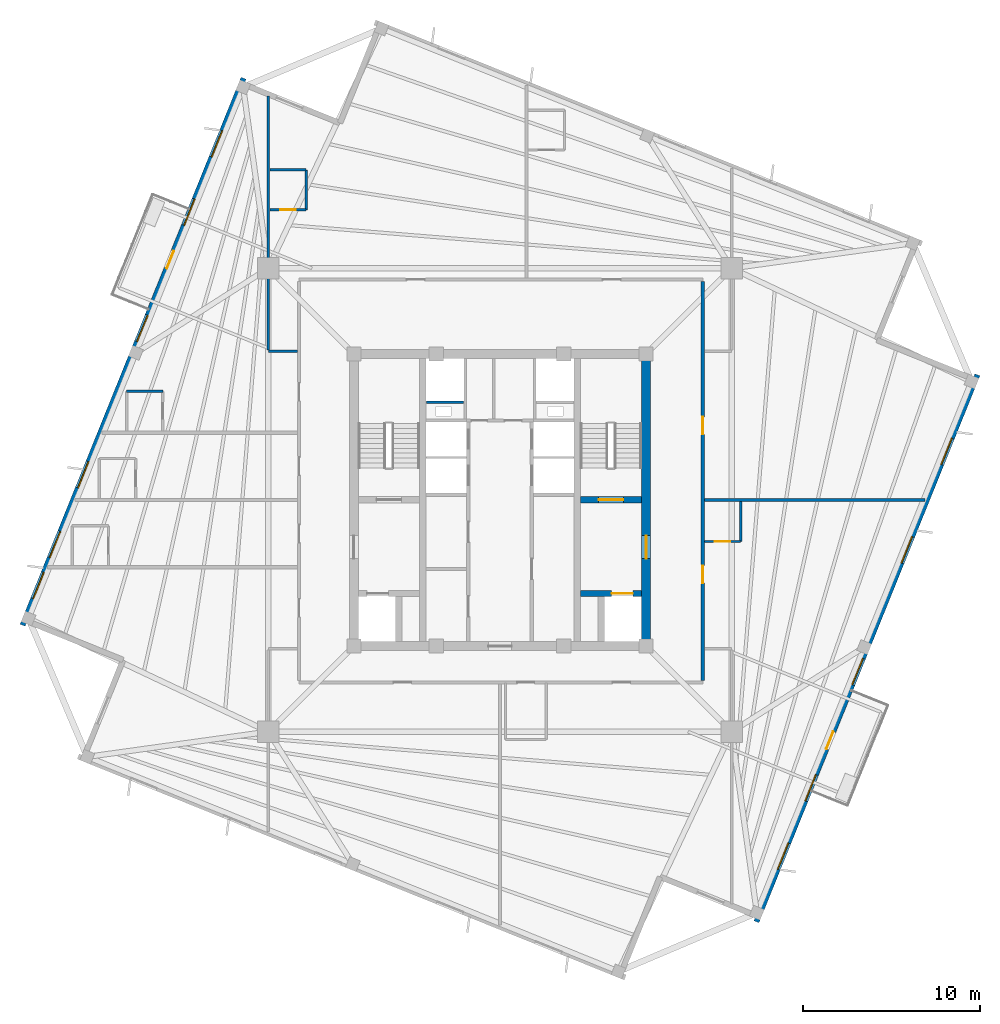
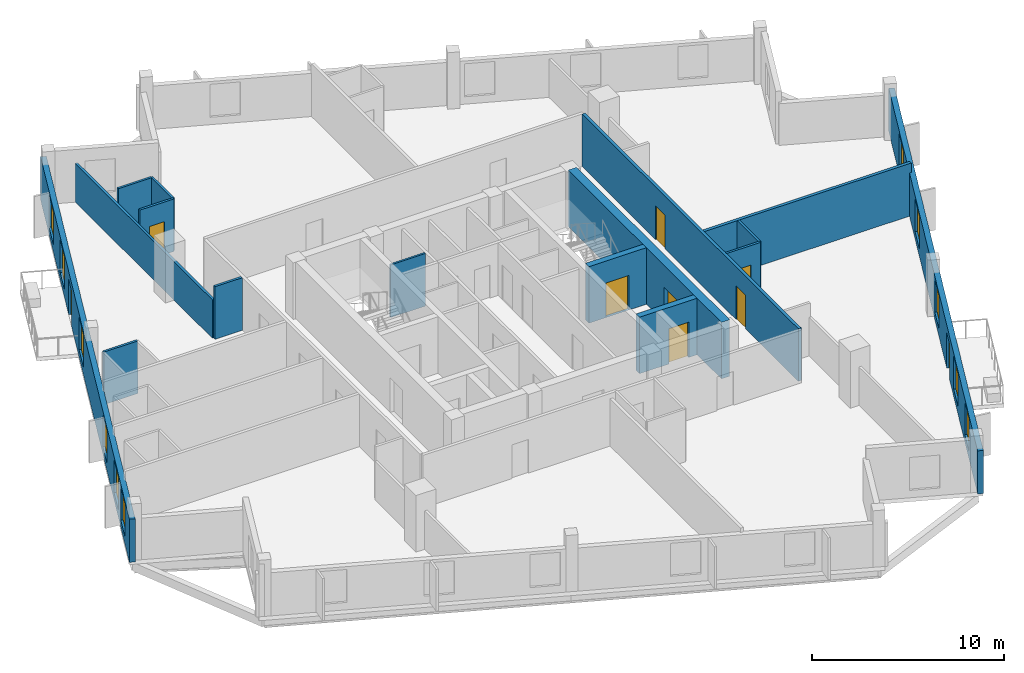
# One storey, part 4 of 8: 16 walls, 11 windows, 9 doors, 20 openings.
"""IFC4 building model written with IfcOpenShell, lengths in metres."""

from ifc_helpers import new_model, si_unit, direction, frame, frame_2d, origin, place, context, subcontext, project, spatial, rectangle, extrude, source, transform, mapped, material, layer, layer_set, type_object, element, fill, save


model = new_model("IFC4")

# Units and contexts
model_context = context("Model", 3, precision=1e-05, world=origin(), true_north=direction((0.0, 1.0)))
body_context = subcontext(model_context, "Body", "Model", "MODEL_VIEW")
ifc_project = project(units=[si_unit("LENGTHUNIT", "METRE"), si_unit("AREAUNIT", "SQUARE_METRE"), si_unit("VOLUMEUNIT", "CUBIC_METRE"), si_unit("PLANEANGLEUNIT", "RADIAN"), si_unit("MASSUNIT", "GRAM", prefix="KILO"), si_unit("THERMODYNAMICTEMPERATUREUNIT", "KELVIN")], contexts=[model_context])

# Site, building, storey
site_placement = place(None, origin())
site = spatial("IfcSite", under=ifc_project, at=site_placement, CompositionType="ELEMENT")
building_placement = place(site_placement, origin())
building = spatial("IfcBuilding", under=site, at=building_placement, Name="Kosmvard Interchange Tower", CompositionType="ELEMENT")
storey_placement = place(building_placement, frame((0.0, 0.0, 294.0)))
storey = spatial("IfcBuildingStorey", under=building, at=storey_placement, Name="L72", CompositionType="ELEMENT", Elevation=294.0)

# Walls
ifc_material_1 = material(Name="Acoustic gypsum partition system")
ifc_layer_1 = layer(ifc_material_1, 0.14990234375, Name="Acoustic gypsum partition system")
ifc_layer_set_1 = layer_set([ifc_layer_1], Name="Acoustic gypsum partition system")
wall_type_1 = type_object("IfcWallType", Name="Acoustic Suite & Meeting Partition 150", PredefinedType="PARTITIONING", material=ifc_layer_set_1)
wall_1_placement = place(storey_placement, frame((-11.445068359375, 8.39990234375, 0.0), z_axis=(0.0, 0.0, 1.0), x_axis=(-1.0, 0.0, 0.0)))
element("IfcWall", 1, at=wall_1_placement, inside=storey, type_object=wall_type_1, Name="L72 Room Partition 07.1", PredefinedType="PARTITIONING", context=body_context, shape_type="SweptSolid", body=[
    extrude(rectangle(XDim=1.635986328125, YDim=0.14990234375, at=frame_2d((0.81787109375, 0.0))), origin(), (0.0, 0.0, 1.0), 3.35009765625),
])
wall_2_placement = place(storey_placement, frame((-13.0810546875, 8.47509765625, 0.0), z_axis=(0.0, 0.0, 1.0), x_axis=(0.0, 1.0, 0.0)))
element("IfcWall", 2, at=wall_2_placement, inside=storey, type_object=wall_type_1, Name="L72 Room Partition 08.1", PredefinedType="PARTITIONING", context=body_context, shape_type="SweptSolid", body=[
    extrude(rectangle(XDim=14.341552734375, YDim=0.14990234375, at=frame_2d((7.1708984375, 0.0))), origin(), (0.0, 0.0, 1.0), 2.449951171875),
])

# Wall, openings, doors
ifc_material_2 = material(Name="Fire-rated gypsum partition system")
ifc_layer_2 = layer(ifc_material_2, 0.179931640625, Name="Fire-rated gypsum partition system")
ifc_layer_set_2 = layer_set([ifc_layer_2], Name="Fire-rated gypsum partition system")
wall_type_2 = type_object("IfcWallType", Name="Corridor & Hotel Compartment Partition 180", PredefinedType="PARTITIONING", material=ifc_layer_set_2)
wall_3_placement = place(storey_placement, frame((11.449951171875, -10.199951171875, 0.0), z_axis=(0.0, 0.0, 1.0), x_axis=(0.0, 1.0, 0.0)))
wall_3 = element("IfcWall", 3, at=wall_3_placement, inside=storey, type_object=wall_type_2, Name="L72 Corridor Wall CE", PredefinedType="PARTITIONING", context=body_context, shape_type="SweptSolid", body=[
    extrude(rectangle(XDim=22.550048828125, YDim=0.179931640625, at=frame_2d((11.27490234375, 0.0))), origin(), (0.0, 0.0, 1.0), 3.35009765625),
])
opening_1_placement = place(wall_3_placement, frame((13.89990234375, 0.0, 0.0)))
opening_1 = element("IfcOpeningElement", 4, at=opening_1_placement, cuts=wall_3, Name="Opening L72-D10", PredefinedType="OPENING", context=body_context, shape_type="SweptSolid", body=[
    extrude(rectangle(XDim=1.0, YDim=2.14990234375, at=frame_2d((0.5, 1.074951171875))), frame((0.0, 0.10009765625, 0.0), z_axis=(0.0, -1.0, 0.0), x_axis=(1.0, 0.0, 0.0)), (0.0, 0.0, 1.0), 0.199951171875),
])
opening_2_placement = place(wall_3_placement, frame((5.5, 0.0, 0.0)))
opening_2 = element("IfcOpeningElement", 5, at=opening_2_placement, cuts=wall_3, Name="Opening L72-D11", PredefinedType="OPENING", context=body_context, shape_type="SweptSolid", body=[
    extrude(rectangle(XDim=1.0, YDim=2.14990234375, at=frame_2d((0.5, 1.074951171875))), frame((0.0, 0.10009765625, 0.0), z_axis=(0.0, -1.0, 0.0), x_axis=(1.0, 0.0, 0.0)), (0.0, 0.0, 1.0), 0.199951171875),
])
ifc_material_3 = material(Name="Engineered oak fire-rated timber", Category="wood")
door_type_1 = type_object("IfcDoorType", Name="Hotel Guestroom Entrance Door 1000x2150 EI60", OperationType="NOTDEFINED", PredefinedType="DOOR", material=ifc_material_3)
shared_shape_1 = source(origin(), body_context, "Body", "SweptSolid", [
    extrude(rectangle(XDim=1.0, YDim=2.14990234375, at=frame_2d((0.5, 1.074951171875))), frame((0.0, 0.02490234375, 0.0), z_axis=(0.0, -1.0, 0.0), x_axis=(1.0, 0.0, 0.0)), (0.0, 0.0, 1.0), 0.050048828125),
])
door_1_placement = place(opening_1_placement, frame((1.0, 0.0, 0.0), z_axis=(0.0, 0.0, 1.0), x_axis=(-1.0, 0.0, 0.0)))
door_1 = element("IfcDoor", 6, at=door_1_placement, inside=storey, type_object=door_type_1, Name="L72 Hotel Summit Boardroom 1 Door", OperationType="SINGLE_SWING_RIGHT", OverallHeight=2.14990234375, OverallWidth=1.0, PredefinedType="DOOR", context=body_context, shape_type="MappedRepresentation", body=[
    mapped(shared_shape_1, transform((0.0, 0.0, 0.0), scale=1.0)),
])
fill(opening_1, door_1)
door_2_placement = place(opening_2_placement, frame((1.0, 0.0, 0.0), z_axis=(0.0, 0.0, 1.0), x_axis=(-1.0, 0.0, 0.0)))
door_2 = element("IfcDoor", 7, at=door_2_placement, inside=storey, type_object=door_type_1, Name="L72 Hotel South-West Corner Suite 5 Door", OperationType="SINGLE_SWING_LEFT", OverallHeight=2.14990234375, OverallWidth=1.0, PredefinedType="DOOR", context=body_context, shape_type="MappedRepresentation", body=[
    mapped(shared_shape_1, transform((0.0, 0.0, 0.0), scale=1.0)),
])
fill(opening_2, door_2)

# Walls
wall_4_placement = place(storey_placement, frame((11.544921875, 0.0, 0.0), z_axis=(0.0, 0.0, 1.0), x_axis=(1.0, 0.0, 0.0)))
element("IfcWall", 8, at=wall_4_placement, inside=storey, type_object=wall_type_2, Name="L72 Room Partition 02.1", PredefinedType="PARTITIONING", context=body_context, shape_type="SweptSolid", body=[
    extrude(rectangle(XDim=12.457763671875, YDim=0.179931640625, at=frame_2d((6.22900390625, 0.0))), origin(), (0.0, 0.0, 1.0), 3.35009765625),
])
ifc_material_4 = material(Name="Fire-rated gypsum shaftwall system")
ifc_layer_3 = layer(ifc_material_4, 0.1201171875, Name="Fire-rated gypsum shaftwall system")
ifc_layer_set_3 = layer_set([ifc_layer_3], Name="Fire-rated gypsum shaftwall system")
wall_type_3 = type_object("IfcWallType", Name="Shaft & Riser Fire Partition 120 EI60", PredefinedType="PARTITIONING", material=ifc_layer_set_3)
wall_5_placement = place(storey_placement, frame((-4.159912109375, 5.52001953125, 0.0), z_axis=(0.0, 0.0, 1.0), x_axis=(1.0, 0.0, 0.0)))
element("IfcWall", 9, at=wall_5_placement, inside=storey, type_object=wall_type_3, Name="L72 Riser Shaft Divider W", PredefinedType="PARTITIONING", context=body_context, shape_type="SweptSolid", body=[
    extrude(rectangle(XDim=2.099853515625, YDim=0.1201171875, at=frame_2d((1.0498046875, 0.0))), origin(), (0.0, 0.0, 1.0), 3.35009765625),
])

# Wall, opening, door
ifc_material_5 = material(Name="Concrete C60/75", Category="concrete")
ifc_layer_4 = layer(ifc_material_5, 0.360107421875, Name="Concrete C60/75")
ifc_layer_set_4 = layer_set([ifc_layer_4], Name="Concrete C60/75")
wall_type_4 = type_object("IfcWallType", Name="Stair & Lift Shaft Shear Wall 360 C60/75", PredefinedType="SHEAR", material=ifc_layer_set_4)
wall_6_placement = place(storey_placement, frame((4.5400390625, 0.02001953125, 0.0), z_axis=(0.0, 0.0, 1.0), x_axis=(1.0, 0.0, 0.0)))
wall_6 = element("IfcWall", 10, at=wall_6_placement, inside=storey, type_object=wall_type_4, Name="L72 Shaft Shear Wall SW-ST2", PredefinedType="SHEAR", context=body_context, shape_type="SweptSolid", body=[
    extrude(rectangle(XDim=3.4599609375, YDim=0.360107421875, at=frame_2d((1.72998046875, 0.0))), origin(), (0.0, 0.0, 1.0), 3.60009765625),
])
opening_3_placement = place(wall_6_placement, frame((1.030029296875, 0.0, 0.0)))
opening_3 = element("IfcOpeningElement", 11, at=opening_3_placement, cuts=wall_6, Name="Opening L72-SD2", PredefinedType="OPENING", context=body_context, shape_type="SweptSolid", body=[
    extrude(rectangle(XDim=1.39990234375, YDim=2.199951171875, at=frame_2d((0.699951171875, 1.10009765625))), frame((0.0, 0.18994140625, 0.0), z_axis=(0.0, -1.0, 0.0), x_axis=(1.0, 0.0, 0.0)), (0.0, 0.0, 1.0), 0.380126953125),
])
ifc_material_6 = material(Name="Painted fire-rated steel leaf", Category="steel")
door_type_2 = type_object("IfcDoorType", Name="Protected Stair Door 1400x2200 FD60S", OperationType="NOTDEFINED", PredefinedType="DOOR", material=ifc_material_6)
shared_shape_2 = source(origin(), body_context, "Body", "SweptSolid", [
    extrude(rectangle(XDim=1.39990234375, YDim=2.199951171875, at=frame_2d((0.699951171875, 1.10009765625))), frame((0.0, 0.02490234375, 0.0), z_axis=(0.0, -1.0, 0.0), x_axis=(1.0, 0.0, 0.0)), (0.0, 0.0, 1.0), 0.050048828125),
])
door_3_placement = place(opening_3_placement, origin())
door_3 = element("IfcDoor", 12, at=door_3_placement, inside=storey, type_object=door_type_2, Name="L72 Stair ST-2 Enclosure Door", OperationType="SINGLE_SWING_RIGHT", OverallHeight=2.199951171875, OverallWidth=1.39990234375, PredefinedType="DOOR", context=body_context, shape_type="MappedRepresentation", body=[
    mapped(shared_shape_2, transform((0.0, 0.0, 0.0), scale=1.0)),
])
fill(opening_3, door_3)

wall_7_placement = place(storey_placement, frame((4.5400390625, -5.280029296875, 0.0), z_axis=(0.0, 0.0, 1.0), x_axis=(1.0, 0.0, 0.0)))
wall_7 = element("IfcWall", 13, at=wall_7_placement, inside=storey, type_object=wall_type_4, Name="L72 Shaft Shear Wall SW-FF2", PredefinedType="SHEAR", context=body_context, shape_type="SweptSolid", body=[
    extrude(rectangle(XDim=3.4599609375, YDim=0.360107421875, at=frame_2d((1.72998046875, 0.0))), origin(), (0.0, 0.0, 1.0), 3.60009765625),
])
opening_4_placement = place(wall_7_placement, frame((1.760009765625, 0.0, 0.0)))
opening_4 = element("IfcOpeningElement", 14, at=opening_4_placement, cuts=wall_7, Name="Opening LD-FF-2-L72", PredefinedType="OPENING", context=body_context, shape_type="SweptSolid", body=[
    extrude(rectangle(XDim=1.199951171875, YDim=2.25, at=frame_2d((0.60009765625, 1.125))), frame((0.0, 0.18994140625, 0.0), z_axis=(0.0, -1.0, 0.0), x_axis=(1.0, 0.0, 0.0)), (0.0, 0.0, 1.0), 0.380126953125),
])
ifc_material_7 = material(Name="Brushed stainless steel sliding leaf", Category="steel")
door_type_3 = type_object("IfcDoorType", Name="Firefighting Lift Sliding Landing Door 1200x2250 EI120", OperationType="DOUBLE_DOOR_SLIDING", PredefinedType="DOOR", material=ifc_material_7)
shared_shape_3 = source(origin(), body_context, "Body", "SweptSolid", [
    extrude(rectangle(XDim=1.199951171875, YDim=2.25, at=frame_2d((0.60009765625, 1.125))), frame((0.0, 0.02490234375, 0.0), z_axis=(0.0, -1.0, 0.0), x_axis=(1.0, 0.0, 0.0)), (0.0, 0.0, 1.0), 0.050048828125),
])
door_4_placement = place(opening_4_placement, origin())
door_4 = element("IfcDoor", 15, at=door_4_placement, inside=storey, type_object=door_type_3, Name="Lift FF-2 Landing Door L72", OperationType="DOUBLE_DOOR_SLIDING", OverallHeight=2.25, OverallWidth=1.199951171875, PredefinedType="DOOR", context=body_context, shape_type="MappedRepresentation", body=[
    mapped(shared_shape_3, transform((0.0, 0.0, 0.0), scale=1.0)),
])
fill(opening_4, door_4)

ifc_layer_5 = layer(ifc_material_5, 0.5, Name="Concrete C60/75")
ifc_layer_set_5 = layer_set([ifc_layer_5], Name="Concrete C60/75")
wall_type_5 = type_object("IfcWallType", Name="Upper Core Shear Wall 500 C60/75", PredefinedType="SHEAR", material=ifc_layer_set_5)
wall_8_placement = place(storey_placement, frame((8.25, -8.0, 0.0), z_axis=(0.0, 0.0, 1.0), x_axis=(0.0, 1.0, 0.0)))
wall_8 = element("IfcWall", 16, at=wall_8_placement, inside=storey, type_object=wall_type_5, Name="L72 Core Shear Wall CW-E", PredefinedType="SHEAR", context=body_context, shape_type="SweptSolid", body=[
    extrude(rectangle(XDim=16.0, YDim=0.5, at=frame_2d((8.0, 0.0))), origin(), (0.0, 0.0, 1.0), 3.60009765625),
])
opening_5_placement = place(wall_8_placement, frame((4.68994140625, 0.0, 0.0)))
opening_5 = element("IfcOpeningElement", 17, at=opening_5_placement, cuts=wall_8, Name="Opening L72-FD2", PredefinedType="OPENING", context=body_context, shape_type="SweptSolid", body=[
    extrude(rectangle(XDim=1.300048828125, YDim=2.199951171875, at=frame_2d((0.64990234375, 1.10009765625))), frame((0.0, 0.260009765625, 0.0), z_axis=(0.0, -1.0, 0.0), x_axis=(1.0, 0.0, 0.0)), (0.0, 0.0, 1.0), 0.52001953125),
])
door_type_4 = type_object("IfcDoorType", Name="Firefighting Lobby Door 1300x2200 EI60", OperationType="NOTDEFINED", PredefinedType="DOOR", material=ifc_material_6)
shared_shape_4 = source(origin(), body_context, "Body", "SweptSolid", [
    extrude(rectangle(XDim=1.300048828125, YDim=2.199951171875, at=frame_2d((0.64990234375, 1.10009765625))), frame((0.0, 0.02490234375, 0.0), z_axis=(0.0, -1.0, 0.0), x_axis=(1.0, 0.0, 0.0)), (0.0, 0.0, 1.0), 0.050048828125),
])
door_5_placement = place(opening_5_placement, origin())
door_5 = element("IfcDoor", 18, at=door_5_placement, inside=storey, type_object=door_type_4, Name="L72 Firefighting Lobby East Door", OperationType="SINGLE_SWING_RIGHT", OverallHeight=2.199951171875, OverallWidth=1.300048828125, PredefinedType="DOOR", context=body_context, shape_type="MappedRepresentation", body=[
    mapped(shared_shape_4, transform((0.0, 0.0, 0.0), scale=1.0)),
])
fill(opening_5, door_5)

# Wall, openings, door, windows
ifc_material_8 = material(Name="Precast concrete C45/55", Category="concrete")
ifc_layer_6 = layer(ifc_material_8, 0.31005859375, Name="Precast concrete C45/55")
ifc_layer_set_6 = layer_set([ifc_layer_6], Name="Precast concrete C45/55")
wall_type_6 = type_object("IfcWallType", Name="Upper Tower Precast Pier Wall 310 C45/55", PredefinedType="STANDARD", material=ifc_layer_set_6)
wall_9_placement = place(storey_placement, frame((14.478759765625, -23.812744140625, 0.0), z_axis=(0.0, 0.0, 1.0), x_axis=(0.374609557019, 0.927182657188, 0.0)))
wall_9 = element("IfcWall", 19, at=wall_9_placement, inside=storey, type_object=wall_type_6, Name="L72 Precast Facade Wall F-S", PredefinedType="STANDARD", context=body_context, shape_type="SweptSolid", body=[
    extrude(rectangle(XDim=33.31005859375, YDim=0.31005859375, at=frame_2d((16.655029296875, 0.0))), origin(), (0.0, 0.0, 1.0), 2.75),
])
opening_6_placement = place(wall_9_placement, frame((10.530029296875, 0.0, 0.0)))
opening_6 = element("IfcOpeningElement", 20, at=opening_6_placement, cuts=wall_9, Name="Opening L72-BDS", PredefinedType="OPENING", context=body_context, shape_type="SweptSolid", body=[
    extrude(rectangle(XDim=1.050048828125, YDim=2.25, at=frame_2d((0.52490234375, 1.125))), frame((0.0, 0.1650390625, 0.0), z_axis=(0.0, -1.0, 0.0), x_axis=(1.0, 0.0, 0.0)), (0.0, 0.0, 1.0), 0.330078125),
])
opening_7_placement = place(wall_9_placement, frame((3.197265625, 0.0, 0.469970703125)))
opening_7 = element("IfcOpeningElement", 21, at=opening_7_placement, cuts=wall_9, Name="Opening L72-W01", PredefinedType="OPENING", context=body_context, shape_type="SweptSolid", body=[
    extrude(rectangle(XDim=1.60009765625, YDim=2.10009765625, at=frame_2d((0.800048828125, 1.050048828125))), frame((0.0, 0.1650390625, 0.0), z_axis=(0.0, -1.0, 0.0), x_axis=(1.0, 0.0, 0.0)), (0.0, 0.0, 1.0), 0.330078125),
])
opening_8_placement = place(wall_9_placement, frame((7.35986328125, 0.0, 0.469970703125)))
opening_8 = element("IfcOpeningElement", 22, at=opening_8_placement, cuts=wall_9, Name="Opening L72-W02", PredefinedType="OPENING", context=body_context, shape_type="SweptSolid", body=[
    extrude(rectangle(XDim=1.60009765625, YDim=2.10009765625, at=frame_2d((0.800048828125, 1.050048828125))), frame((0.0, 0.1650390625, 0.0), z_axis=(0.0, -1.0, 0.0), x_axis=(1.0, 0.0, 0.0)), (0.0, 0.0, 1.0), 0.330078125),
])
opening_9_placement = place(wall_9_placement, frame((14.438720703125, 0.0, 0.469970703125)))
opening_9 = element("IfcOpeningElement", 23, at=opening_9_placement, cuts=wall_9, Name="Opening L72-W03", PredefinedType="OPENING", context=body_context, shape_type="SweptSolid", body=[
    extrude(rectangle(XDim=1.60009765625, YDim=2.10009765625, at=frame_2d((0.800048828125, 1.050048828125))), frame((0.0, 0.1650390625, 0.0), z_axis=(0.0, -1.0, 0.0), x_axis=(1.0, 0.0, 0.0)), (0.0, 0.0, 1.0), 0.330078125),
])
opening_10_placement = place(wall_9_placement, frame((21.850830078125, 0.0, 0.469970703125)))
opening_10 = element("IfcOpeningElement", 24, at=opening_10_placement, cuts=wall_9, Name="Opening L72-W04", PredefinedType="OPENING", context=body_context, shape_type="SweptSolid", body=[
    extrude(rectangle(XDim=1.60009765625, YDim=2.10009765625, at=frame_2d((0.800048828125, 1.050048828125))), frame((0.0, 0.1650390625, 0.0), z_axis=(0.0, -1.0, 0.0), x_axis=(1.0, 0.0, 0.0)), (0.0, 0.0, 1.0), 0.330078125),
])
opening_11_placement = place(wall_9_placement, frame((27.8466796875, 0.0, 0.469970703125)))
opening_11 = element("IfcOpeningElement", 25, at=opening_11_placement, cuts=wall_9, Name="Opening L72-W05", PredefinedType="OPENING", context=body_context, shape_type="SweptSolid", body=[
    extrude(rectangle(XDim=1.60009765625, YDim=2.10009765625, at=frame_2d((0.800048828125, 1.050048828125))), frame((0.0, 0.1650390625, 0.0), z_axis=(0.0, -1.0, 0.0), x_axis=(1.0, 0.0, 0.0)), (0.0, 0.0, 1.0), 0.330078125),
])
ifc_material_9 = material(Name="Anodised aluminium and safety glass", Category="aluminium")
door_type_5 = type_object("IfcDoorType", Name="Tree-Balcony Glazed Door 1050x2250", OperationType="NOTDEFINED", PredefinedType="DOOR", material=ifc_material_9)
shared_shape_5 = source(origin(), body_context, "Body", "SweptSolid", [
    extrude(rectangle(XDim=1.050048828125, YDim=2.25, at=frame_2d((0.52490234375, 1.125))), frame((0.0, 0.02490234375, 0.0), z_axis=(0.0, -1.0, 0.0), x_axis=(1.0, 0.0, 0.0)), (0.0, 0.0, 1.0), 0.050048828125),
])
door_6_placement = place(opening_6_placement, origin())
door_6 = element("IfcDoor", 26, at=door_6_placement, inside=storey, type_object=door_type_5, Name="L72 Tree-Balcony Door BAL-L72-S", OperationType="SINGLE_SWING_LEFT", OverallHeight=2.25, OverallWidth=1.050048828125, PredefinedType="DOOR", context=body_context, shape_type="MappedRepresentation", body=[
    mapped(shared_shape_5, transform((0.0, 0.0, 0.0), scale=1.0)),
])
fill(opening_6, door_6)
ifc_material_10 = material(Name="Low-E acoustic double glazing", Category="glass")
window_type = type_object("IfcWindowType", Name="Zone 5 Hotel Punched Window 1600x2100", PartitioningType="SINGLE_PANEL", PredefinedType="WINDOW", material=ifc_material_10)
shared_shape_6 = source(origin(), body_context, "Body", "SweptSolid", [
    extrude(rectangle(XDim=1.60009765625, YDim=2.10009765625, at=frame_2d((0.800048828125, 1.050048828125))), frame((0.0, 0.030029296875, 0.0), z_axis=(0.0, -1.0, 0.0), x_axis=(1.0, 0.0, 0.0)), (0.0, 0.0, 1.0), 0.06005859375),
])
window_1_placement = place(opening_7_placement, origin())
window_1 = element("IfcWindow", 27, at=window_1_placement, inside=storey, type_object=window_type, Name="L72 Facade Punched Window 01", OverallHeight=2.10009765625, OverallWidth=1.60009765625, PartitioningType="SINGLE_PANEL", PredefinedType="WINDOW", context=body_context, shape_type="MappedRepresentation", body=[
    mapped(shared_shape_6, transform((0.0, 0.0, 0.0), scale=1.0)),
])
fill(opening_7, window_1)
window_2_placement = place(opening_8_placement, origin())
window_2 = element("IfcWindow", 28, at=window_2_placement, inside=storey, type_object=window_type, Name="L72 Facade Punched Window 02", OverallHeight=2.10009765625, OverallWidth=1.60009765625, PartitioningType="SINGLE_PANEL", PredefinedType="WINDOW", context=body_context, shape_type="MappedRepresentation", body=[
    mapped(shared_shape_6, transform((0.0, 0.0, 0.0), scale=1.0)),
])
fill(opening_8, window_2)
window_3_placement = place(opening_9_placement, origin())
window_3 = element("IfcWindow", 29, at=window_3_placement, inside=storey, type_object=window_type, Name="L72 Facade Punched Window 03", OverallHeight=2.10009765625, OverallWidth=1.60009765625, PartitioningType="SINGLE_PANEL", PredefinedType="WINDOW", context=body_context, shape_type="MappedRepresentation", body=[
    mapped(shared_shape_6, transform((0.0, 0.0, 0.0), scale=1.0)),
])
fill(opening_9, window_3)
window_4_placement = place(opening_10_placement, origin())
window_4 = element("IfcWindow", 30, at=window_4_placement, inside=storey, type_object=window_type, Name="L72 Facade Punched Window 04", OverallHeight=2.10009765625, OverallWidth=1.60009765625, PartitioningType="SINGLE_PANEL", PredefinedType="WINDOW", context=body_context, shape_type="MappedRepresentation", body=[
    mapped(shared_shape_6, transform((0.0, 0.0, 0.0), scale=1.0)),
])
fill(opening_10, window_4)
window_5_placement = place(opening_11_placement, origin())
window_5 = element("IfcWindow", 31, at=window_5_placement, inside=storey, type_object=window_type, Name="L72 Facade Punched Window 05", OverallHeight=2.10009765625, OverallWidth=1.60009765625, PartitioningType="SINGLE_PANEL", PredefinedType="WINDOW", context=body_context, shape_type="MappedRepresentation", body=[
    mapped(shared_shape_6, transform((0.0, 0.0, 0.0), scale=1.0)),
])
fill(opening_11, window_5)

wall_10_placement = place(storey_placement, frame((-14.478759765625, 23.812744140625, 0.0), z_axis=(0.0, 0.0, 1.0), x_axis=(-0.374609557019, -0.927182657188, 0.0)))
wall_10 = element("IfcWall", 32, at=wall_10_placement, inside=storey, type_object=wall_type_6, Name="L72 Precast Facade Wall F-N", PredefinedType="STANDARD", context=body_context, shape_type="SweptSolid", body=[
    extrude(rectangle(XDim=33.31005859375, YDim=0.31005859375, at=frame_2d((16.655029296875, 0.0))), origin(), (0.0, 0.0, 1.0), 2.75),
])
opening_12_placement = place(wall_10_placement, frame((10.530029296875, 0.0, 0.0)))
opening_12 = element("IfcOpeningElement", 33, at=opening_12_placement, cuts=wall_10, Name="Opening L72-BDN", PredefinedType="OPENING", context=body_context, shape_type="SweptSolid", body=[
    extrude(rectangle(XDim=1.050048828125, YDim=2.25, at=frame_2d((0.52490234375, 1.125))), frame((0.0, 0.1650390625, 0.0), z_axis=(0.0, -1.0, 0.0), x_axis=(1.0, 0.0, 0.0)), (0.0, 0.0, 1.0), 0.330078125),
])
opening_13_placement = place(wall_10_placement, frame((3.197265625, 0.0, 0.469970703125)))
opening_13 = element("IfcOpeningElement", 34, at=opening_13_placement, cuts=wall_10, Name="Opening L72-W10", PredefinedType="OPENING", context=body_context, shape_type="SweptSolid", body=[
    extrude(rectangle(XDim=1.60009765625, YDim=2.10009765625, at=frame_2d((0.800048828125, 1.050048828125))), frame((0.0, 0.1650390625, 0.0), z_axis=(0.0, -1.0, 0.0), x_axis=(1.0, 0.0, 0.0)), (0.0, 0.0, 1.0), 0.330078125),
])
opening_14_placement = place(wall_10_placement, frame((7.35986328125, 0.0, 0.469970703125)))
opening_14 = element("IfcOpeningElement", 35, at=opening_14_placement, cuts=wall_10, Name="Opening L72-W11", PredefinedType="OPENING", context=body_context, shape_type="SweptSolid", body=[
    extrude(rectangle(XDim=1.60009765625, YDim=2.10009765625, at=frame_2d((0.800048828125, 1.050048828125))), frame((0.0, 0.1650390625, 0.0), z_axis=(0.0, -1.0, 0.0), x_axis=(1.0, 0.0, 0.0)), (0.0, 0.0, 1.0), 0.330078125),
])
opening_15_placement = place(wall_10_placement, frame((14.438720703125, 0.0, 0.469970703125)))
opening_15 = element("IfcOpeningElement", 36, at=opening_15_placement, cuts=wall_10, Name="Opening L72-W12", PredefinedType="OPENING", context=body_context, shape_type="SweptSolid", body=[
    extrude(rectangle(XDim=1.60009765625, YDim=2.10009765625, at=frame_2d((0.800048828125, 1.050048828125))), frame((0.0, 0.1650390625, 0.0), z_axis=(0.0, -1.0, 0.0), x_axis=(1.0, 0.0, 0.0)), (0.0, 0.0, 1.0), 0.330078125),
])
opening_16_placement = place(wall_10_placement, frame((23.350830078125, 0.0, 0.469970703125)))
opening_16 = element("IfcOpeningElement", 37, at=opening_16_placement, cuts=wall_10, Name="Opening L72-W13", PredefinedType="OPENING", context=body_context, shape_type="SweptSolid", body=[
    extrude(rectangle(XDim=1.60009765625, YDim=2.10009765625, at=frame_2d((0.800048828125, 1.050048828125))), frame((0.0, 0.1650390625, 0.0), z_axis=(0.0, -1.0, 0.0), x_axis=(1.0, 0.0, 0.0)), (0.0, 0.0, 1.0), 0.330078125),
])
opening_17_placement = place(wall_10_placement, frame((30.0966796875, 0.0, 0.469970703125)))
opening_17 = element("IfcOpeningElement", 38, at=opening_17_placement, cuts=wall_10, Name="Opening L72-W14", PredefinedType="OPENING", context=body_context, shape_type="SweptSolid", body=[
    extrude(rectangle(XDim=1.60009765625, YDim=2.10009765625, at=frame_2d((0.800048828125, 1.050048828125))), frame((0.0, 0.1650390625, 0.0), z_axis=(0.0, -1.0, 0.0), x_axis=(1.0, 0.0, 0.0)), (0.0, 0.0, 1.0), 0.330078125),
])
opening_18_placement = place(wall_10_placement, frame((27.58984375, 0.0, 0.469970703125)))
opening_18 = element("IfcOpeningElement", 39, at=opening_18_placement, cuts=wall_10, Name="Opening L72-DW24", PredefinedType="OPENING", context=body_context, shape_type="SweptSolid", body=[
    extrude(rectangle(XDim=1.60009765625, YDim=2.10009765625, at=frame_2d((0.800048828125, 1.050048828125))), frame((0.0, 0.1650390625, 0.0), z_axis=(0.0, -1.0, 0.0), x_axis=(1.0, 0.0, 0.0)), (0.0, 0.0, 1.0), 0.330078125),
])
door_7_placement = place(opening_12_placement, origin())
door_7 = element("IfcDoor", 40, at=door_7_placement, inside=storey, type_object=door_type_5, Name="L72 Tree-Balcony Door BAL-L72-N", OperationType="SINGLE_SWING_LEFT", OverallHeight=2.25, OverallWidth=1.050048828125, PredefinedType="DOOR", context=body_context, shape_type="MappedRepresentation", body=[
    mapped(shared_shape_5, transform((0.0, 0.0, 0.0), scale=1.0)),
])
fill(opening_12, door_7)
window_6_placement = place(opening_13_placement, origin())
window_6 = element("IfcWindow", 41, at=window_6_placement, inside=storey, type_object=window_type, Name="L72 Facade Punched Window 10", OverallHeight=2.10009765625, OverallWidth=1.60009765625, PartitioningType="SINGLE_PANEL", PredefinedType="WINDOW", context=body_context, shape_type="MappedRepresentation", body=[
    mapped(shared_shape_6, transform((0.0, 0.0, 0.0), scale=1.0)),
])
fill(opening_13, window_6)
window_7_placement = place(opening_14_placement, origin())
window_7 = element("IfcWindow", 42, at=window_7_placement, inside=storey, type_object=window_type, Name="L72 Facade Punched Window 11", OverallHeight=2.10009765625, OverallWidth=1.60009765625, PartitioningType="SINGLE_PANEL", PredefinedType="WINDOW", context=body_context, shape_type="MappedRepresentation", body=[
    mapped(shared_shape_6, transform((0.0, 0.0, 0.0), scale=1.0)),
])
fill(opening_14, window_7)
window_8_placement = place(opening_15_placement, origin())
window_8 = element("IfcWindow", 43, at=window_8_placement, inside=storey, type_object=window_type, Name="L72 Facade Punched Window 12", OverallHeight=2.10009765625, OverallWidth=1.60009765625, PartitioningType="SINGLE_PANEL", PredefinedType="WINDOW", context=body_context, shape_type="MappedRepresentation", body=[
    mapped(shared_shape_6, transform((0.0, 0.0, 0.0), scale=1.0)),
])
fill(opening_15, window_8)
window_9_placement = place(opening_16_placement, origin())
window_9 = element("IfcWindow", 44, at=window_9_placement, inside=storey, type_object=window_type, Name="L72 Facade Punched Window 13", OverallHeight=2.10009765625, OverallWidth=1.60009765625, PartitioningType="SINGLE_PANEL", PredefinedType="WINDOW", context=body_context, shape_type="MappedRepresentation", body=[
    mapped(shared_shape_6, transform((0.0, 0.0, 0.0), scale=1.0)),
])
fill(opening_16, window_9)
window_10_placement = place(opening_17_placement, origin())
window_10 = element("IfcWindow", 45, at=window_10_placement, inside=storey, type_object=window_type, Name="L72 Facade Punched Window 14", OverallHeight=2.10009765625, OverallWidth=1.60009765625, PartitioningType="SINGLE_PANEL", PredefinedType="WINDOW", context=body_context, shape_type="MappedRepresentation", body=[
    mapped(shared_shape_6, transform((0.0, 0.0, 0.0), scale=1.0)),
])
fill(opening_17, window_10)
window_11_placement = place(opening_18_placement, origin())
window_11 = element("IfcWindow", 46, at=window_11_placement, inside=storey, type_object=window_type, Name="L72 Guest Room Punched Window 24", OverallHeight=2.10009765625, OverallWidth=1.60009765625, PartitioningType="SINGLE_PANEL", PredefinedType="WINDOW", context=body_context, shape_type="MappedRepresentation", body=[
    mapped(shared_shape_6, transform((0.0, 0.0, 0.0), scale=1.0)),
])
fill(opening_18, window_11)

# Wall
ifc_material_11 = material(Name="Moisture-resistant gypsum partition")
ifc_layer_7 = layer(ifc_material_11, 0.135009765625, Name="Moisture-resistant gypsum partition")
ifc_layer_set_7 = layer_set([ifc_layer_7], Name="Moisture-resistant gypsum partition")
wall_type_7 = type_object("IfcWallType", Name="Wet Room Moisture-Resistant Partition 135", PredefinedType="PARTITIONING", material=ifc_layer_set_7)
wall_11_placement = place(storey_placement, frame((-21.084228515625, 6.139892578125, 0.0), z_axis=(0.0, 0.0, 1.0), x_axis=(1.0, 0.0, 0.0)))
element("IfcWall", 47, at=wall_11_placement, inside=storey, type_object=wall_type_7, Name="L72 En-Suite Partition HPS2-N", PredefinedType="PARTITIONING", context=body_context, shape_type="SweptSolid", body=[
    extrude(rectangle(XDim=2.050048828125, YDim=0.135009765625, at=frame_2d((1.02490234375, 0.0))), origin(), (0.0, 0.0, 1.0), 3.35009765625),
])

# Wall, opening, door
wall_12_placement = place(storey_placement, frame((-12.990966796875, 16.3857421875, 0.0), z_axis=(0.0, 0.0, 1.0), x_axis=(1.0, 0.0, 0.0)))
wall_12 = element("IfcWall", 48, at=wall_12_placement, inside=storey, type_object=wall_type_7, Name="L72 En-Suite Partition HPS3-S", PredefinedType="PARTITIONING", context=body_context, shape_type="SweptSolid", body=[
    extrude(rectangle(XDim=2.050048828125, YDim=0.135009765625, at=frame_2d((1.02490234375, 0.0))), origin(), (0.0, 0.0, 1.0), 3.35009765625),
])
opening_19_placement = place(wall_12_placement, frame((0.5849609375, 0.0, 0.0)))
opening_19 = element("IfcOpeningElement", 49, at=opening_19_placement, cuts=wall_12, Name="Opening L72-ED07", PredefinedType="OPENING", context=body_context, shape_type="SweptSolid", body=[
    extrude(rectangle(XDim=0.8798828125, YDim=2.10009765625, at=frame_2d((0.43994140625, 1.050048828125))), frame((0.0, 0.07763671875, 0.0), z_axis=(0.0, -1.0, 0.0), x_axis=(1.0, 0.0, 0.0)), (0.0, 0.0, 1.0), 0.155029296875),
])
ifc_material_12 = material(Name="Laminated moisture-resistant timber", Category="wood")
door_type_6 = type_object("IfcDoorType", Name="En-Suite & Washroom Door 880x2100", OperationType="NOTDEFINED", PredefinedType="DOOR", material=ifc_material_12)
shared_shape_7 = source(origin(), body_context, "Body", "SweptSolid", [
    extrude(rectangle(XDim=0.8798828125, YDim=2.10009765625, at=frame_2d((0.43994140625, 1.050048828125))), frame((0.0, 0.02490234375, 0.0), z_axis=(0.0, -1.0, 0.0), x_axis=(1.0, 0.0, 0.0)), (0.0, 0.0, 1.0), 0.050048828125),
])
door_8_placement = place(opening_19_placement, origin())
door_8 = element("IfcDoor", 50, at=door_8_placement, inside=storey, type_object=door_type_6, Name="L72 HPS3 En-Suite Door", OperationType="SINGLE_SWING_RIGHT", OverallHeight=2.10009765625, OverallWidth=0.8798828125, PredefinedType="DOOR", context=body_context, shape_type="MappedRepresentation", body=[
    mapped(shared_shape_7, transform((0.0, 0.0, 0.0), scale=1.0)),
])
fill(opening_19, door_8)

# Walls
wall_13_placement = place(storey_placement, frame((-10.94091796875, 16.3857421875, 0.0), z_axis=(0.0, 0.0, 1.0), x_axis=(0.0, 1.0, 0.0)))
element("IfcWall", 51, at=wall_13_placement, inside=storey, type_object=wall_type_7, Name="L72 En-Suite Partition HPS3-E", PredefinedType="PARTITIONING", context=body_context, shape_type="SweptSolid", body=[
    extrude(rectangle(XDim=2.25, YDim=0.135009765625, at=frame_2d((1.125, 0.0))), origin(), (0.0, 0.0, 1.0), 3.35009765625),
])
wall_14_placement = place(storey_placement, frame((-12.990966796875, 18.6357421875, 0.0), z_axis=(0.0, 0.0, 1.0), x_axis=(1.0, 0.0, 0.0)))
element("IfcWall", 52, at=wall_14_placement, inside=storey, type_object=wall_type_7, Name="L72 En-Suite Partition HPS3-N", PredefinedType="PARTITIONING", context=body_context, shape_type="SweptSolid", body=[
    extrude(rectangle(XDim=2.050048828125, YDim=0.135009765625, at=frame_2d((1.02490234375, 0.0))), origin(), (0.0, 0.0, 1.0), 3.35009765625),
])

# Wall, opening, door
wall_15_placement = place(storey_placement, frame((11.534912109375, -2.340087890625, 0.0), z_axis=(0.0, 0.0, 1.0), x_axis=(1.0, 0.0, 0.0)))
wall_15 = element("IfcWall", 53, at=wall_15_placement, inside=storey, type_object=wall_type_7, Name="L72 En-Suite Partition HPS5-S", PredefinedType="PARTITIONING", context=body_context, shape_type="SweptSolid", body=[
    extrude(rectangle(XDim=2.050048828125, YDim=0.135009765625, at=frame_2d((1.02490234375, 0.0))), origin(), (0.0, 0.0, 1.0), 3.35009765625),
])
opening_20_placement = place(wall_15_placement, frame((0.5849609375, 0.0, 0.0)))
opening_20 = element("IfcOpeningElement", 54, at=opening_20_placement, cuts=wall_15, Name="Opening L72-ED12", PredefinedType="OPENING", context=body_context, shape_type="SweptSolid", body=[
    extrude(rectangle(XDim=0.8798828125, YDim=2.10009765625, at=frame_2d((0.43994140625, 1.050048828125))), frame((0.0, 0.07763671875, 0.0), z_axis=(0.0, -1.0, 0.0), x_axis=(1.0, 0.0, 0.0)), (0.0, 0.0, 1.0), 0.155029296875),
])
door_9_placement = place(opening_20_placement, origin())
door_9 = element("IfcDoor", 55, at=door_9_placement, inside=storey, type_object=door_type_6, Name="L72 HPS5 En-Suite Door", OperationType="SINGLE_SWING_LEFT", OverallHeight=2.10009765625, OverallWidth=0.8798828125, PredefinedType="DOOR", context=body_context, shape_type="MappedRepresentation", body=[
    mapped(shared_shape_7, transform((0.0, 0.0, 0.0), scale=1.0)),
])
fill(opening_20, door_9)

# Wall
wall_16_placement = place(storey_placement, frame((13.5849609375, -2.340087890625, 0.0), z_axis=(0.0, 0.0, 1.0), x_axis=(0.0, 1.0, 0.0)))
element("IfcWall", 56, at=wall_16_placement, inside=storey, type_object=wall_type_7, Name="L72 En-Suite Partition HPS5-E", PredefinedType="PARTITIONING", context=body_context, shape_type="SweptSolid", body=[
    extrude(rectangle(XDim=2.25, YDim=0.135009765625, at=frame_2d((1.125, 0.0))), origin(), (0.0, 0.0, 1.0), 3.35009765625),
])

save(model, "model.ifc")
